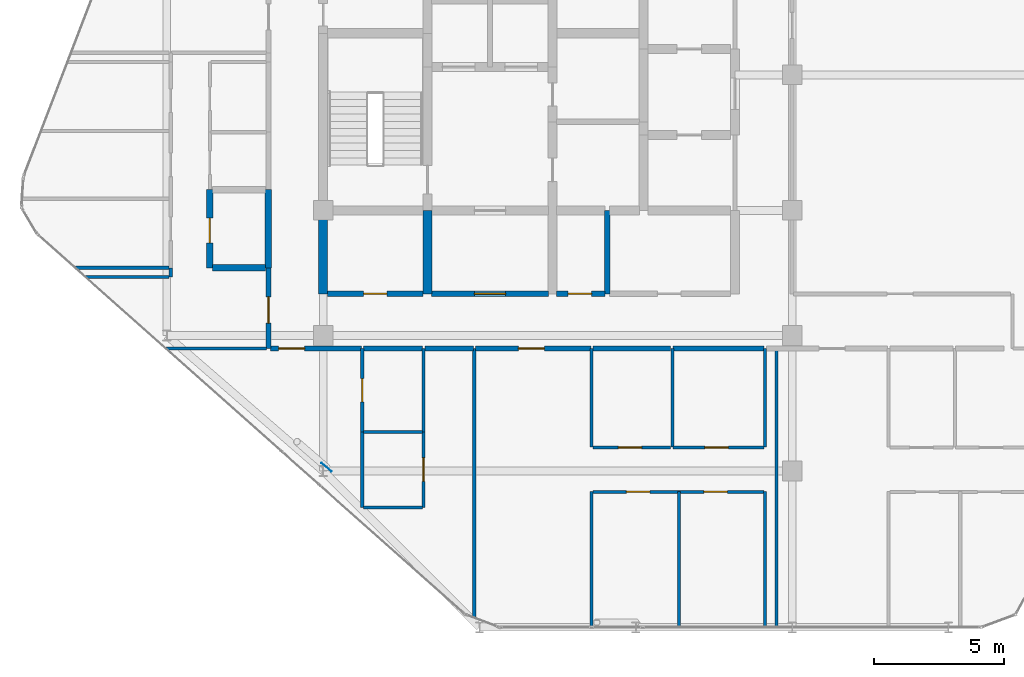
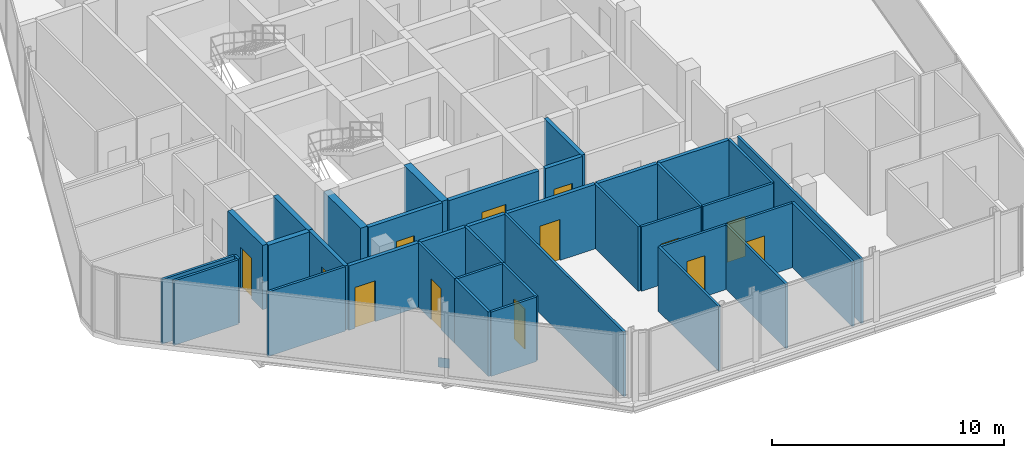
# One storey, part 22 of 27: 37 walls, 13 doors, 1 plate, 13 openings.
"""IFC4 building model written with IfcOpenShell, lengths in metres."""

from ifc_helpers import new_model, si_unit, direction, frame, frame_2d, origin, origin_2d, place, context, subcontext, project, spatial, rectangle, extrude, material, layer, layer_set, type_object, element, fill, save


model = new_model("IFC4")

# Units and contexts
model_context = context("Model", 3, precision=1e-05, world=origin(), true_north=direction((0.0, 1.0)))
body_context = subcontext(model_context, "Body", "Model", "MODEL_VIEW")
ifc_project = project(units=[si_unit("LENGTHUNIT", "METRE"), si_unit("AREAUNIT", "SQUARE_METRE"), si_unit("VOLUMEUNIT", "CUBIC_METRE"), si_unit("PLANEANGLEUNIT", "RADIAN"), si_unit("MASSUNIT", "GRAM", prefix="KILO")], contexts=[model_context])

# Site, building, storey
site_placement = place(None, origin())
site = spatial("IfcSite", under=ifc_project, at=site_placement, CompositionType="ELEMENT")
building_placement = place(site_placement, origin())
building = spatial("IfcBuilding", under=site, at=building_placement, Name="Keshet Zoharim Tower", CompositionType="ELEMENT")
storey_placement = place(building_placement, frame((0.0, 0.0, 247.300048828125)))
storey = spatial("IfcBuildingStorey", under=building, at=storey_placement, Name="L61", CompositionType="ELEMENT", Elevation=247.300048828125)

# Plate
ifc_material_1 = material(Name="Steel S355", Category="steel")
ifc_layer_1 = layer(ifc_material_1, 0.02001953125)
ifc_layer_set_1 = layer_set([ifc_layer_1], Name="Steel S355")
plate_type = type_object("IfcPlateType", Name="PL-GUS-20", PredefinedType="SHEET", material=ifc_layer_set_1)
plate_placement = place(storey_placement, frame((15.1259765625, 12.842041015625, 0.0), z_axis=(0.0, 0.0, 1.0), x_axis=(-0.75568908279, 0.654930538418, 0.0)))
element("IfcPlate", 1, at=plate_placement, inside=storey, type_object=plate_type, Name="L61 Perimeter Brace Gusset 01", PredefinedType="SHEET", context=body_context, shape_type="SweptSolid", body=[
    extrude(rectangle(XDim=0.5, YDim=0.02001953125, at=origin_2d()), origin(), (0.0, 0.0, 1.0), 0.5),
])

# Walls
ifc_material_2 = material(Name="Concrete C60/75", Category="concrete")
ifc_layer_2 = layer(ifc_material_2, 0.35009765625)
ifc_layer_set_2 = layer_set([ifc_layer_2], Name="Concrete C60/75")
wall_type_1 = type_object("IfcWallType", Name="WL-CORE-350", PredefinedType="SHEAR", material=ifc_layer_set_2)
for number, where, z_axis, x_axis, name in (
    (2, (15.0, 19.5, 0.0), (0.0, 0.0, 1.0), (0.0, 1.0, 0.0), "L61 Core Shear Wall 018"),
    (3, (19.0, 19.5, 0.0), (0.0, 0.0, 1.0), (0.0, 1.0, 0.0), "L61 Core Shear Wall 026"),
):
    element("IfcWall", number, at=place(storey_placement, frame(where, z_axis=z_axis, x_axis=x_axis)), inside=storey, type_object=wall_type_1, Name=name, PredefinedType="SHEAR", context=body_context, shape_type="SweptSolid", body=[
        extrude(rectangle(XDim=3.199951171875, YDim=0.35009765625, at=frame_2d((1.60009765625, 0.0))), origin(), (0.0, 0.0, 1.0), 3.389892578125),
    ])

# Wall, opening, door
ifc_material_3 = material(Name="Gypsum Plasterboard", Category="gypsum")
ifc_layer_3 = layer(ifc_material_3, 0.179931640625)
ifc_layer_set_3 = layer_set([ifc_layer_3], Name="Gypsum Plasterboard")
wall_type_2 = type_object("IfcWallType", Name="WL-CORR-180", PredefinedType="STANDARD", material=ifc_layer_set_3)
wall_1_placement = place(storey_placement, frame((12.89990234375, 17.39990234375, 0.0), z_axis=(0.0, 0.0, 1.0), x_axis=(0.0, 1.0, 0.0)))
wall_1 = element("IfcWall", 4, at=wall_1_placement, inside=storey, type_object=wall_type_2, Name="L61 Interior Wall 009", PredefinedType="STANDARD", context=body_context, shape_type="SweptSolid", body=[
    extrude(rectangle(XDim=3.10009765625, YDim=0.179931640625, at=frame_2d((1.550048828125, 0.0))), origin(), (0.0, 0.0, 1.0), 3.389892578125),
])
opening_1_placement = place(wall_1_placement, frame((0.97802734375, 0.0, 0.0)))
opening_1 = element("IfcOpeningElement", 5, at=opening_1_placement, cuts=wall_1, Name="Opening D-F310", PredefinedType="OPENING", context=body_context, shape_type="SweptSolid", body=[
    extrude(rectangle(XDim=1.0, YDim=2.14990234375, at=frame_2d((0.5, 1.074951171875))), frame((0.0, 0.10009765625, 0.0), z_axis=(0.0, -1.0, 0.0), x_axis=(1.0, 0.0, 0.0)), (0.0, 0.0, 1.0), 0.199951171875),
])
ifc_material_4 = material(Name="Hardwood Timber", Category="wood")
door_type_1 = type_object("IfcDoorType", Name="DR-FD30-100", OperationType="NOTDEFINED", PredefinedType="DOOR", material=ifc_material_4)
door_1_placement = place(opening_1_placement, origin())
door_1 = element("IfcDoor", 6, at=door_1_placement, inside=storey, type_object=door_type_1, Name="Apartment 6105 Entrance Door", OperationType="SINGLE_SWING_LEFT", OverallHeight=2.14990234375, OverallWidth=1.0, PredefinedType="DOOR", context=body_context, shape_type="SweptSolid", body=[
    extrude(rectangle(XDim=1.0, YDim=2.14990234375, at=frame_2d((0.5, 1.074951171875))), frame((0.0, 0.02490234375, 0.0), z_axis=(0.0, -1.0, 0.0), x_axis=(1.0, 0.0, 0.0)), (0.0, 0.0, 1.0), 0.050048828125),
])
fill(opening_1, door_1)

wall_2_placement = place(storey_placement, frame((12.97509765625, 17.39990234375, 0.0), z_axis=(0.0, 0.0, 1.0), x_axis=(1.0, 0.0, 0.0)))
wall_2 = element("IfcWall", 7, at=wall_2_placement, inside=storey, type_object=wall_type_2, Name="L61 Interior Wall 081", PredefinedType="STANDARD", context=body_context, shape_type="SweptSolid", body=[
    extrude(rectangle(XDim=3.489990234375, YDim=0.179931640625, at=frame_2d((1.7451171875, 0.0))), origin(), (0.0, 0.0, 1.0), 3.389892578125),
])
opening_2_placement = place(wall_2_placement, frame((0.31591796875, 0.0, 0.0)))
opening_2 = element("IfcOpeningElement", 8, at=opening_2_placement, cuts=wall_2, Name="Opening D-F310", PredefinedType="OPENING", context=body_context, shape_type="SweptSolid", body=[
    extrude(rectangle(XDim=1.0, YDim=2.14990234375, at=frame_2d((0.5, 1.074951171875))), frame((0.0, 0.10009765625, 0.0), z_axis=(0.0, -1.0, 0.0), x_axis=(1.0, 0.0, 0.0)), (0.0, 0.0, 1.0), 0.199951171875),
])
door_2_placement = place(opening_2_placement, origin())
door_2 = element("IfcDoor", 9, at=door_2_placement, inside=storey, type_object=door_type_1, Name="Apartment 6101 Entrance Door", OperationType="SINGLE_SWING_LEFT", OverallHeight=2.14990234375, OverallWidth=1.0, PredefinedType="DOOR", context=body_context, shape_type="SweptSolid", body=[
    extrude(rectangle(XDim=1.0, YDim=2.14990234375, at=frame_2d((0.5, 1.074951171875))), frame((0.0, 0.02490234375, 0.0), z_axis=(0.0, -1.0, 0.0), x_axis=(1.0, 0.0, 0.0)), (0.0, 0.0, 1.0), 0.050048828125),
])
fill(opening_2, door_2)

# Walls
wall_3_placement = place(storey_placement, frame((16.554931640625, 17.39990234375, 0.0), z_axis=(0.0, 0.0, 1.0), x_axis=(1.0, 0.0, 0.0)))
element("IfcWall", 10, at=wall_3_placement, inside=storey, type_object=wall_type_2, Name="L61 Interior Wall 082", PredefinedType="STANDARD", context=body_context, shape_type="SweptSolid", body=[
    extrude(rectangle(XDim=2.260009765625, YDim=0.179931640625, at=frame_2d((1.1298828125, 0.0))), origin(), (0.0, 0.0, 1.0), 3.389892578125),
])
wall_4_placement = place(storey_placement, frame((18.905029296875, 17.39990234375, 0.0), z_axis=(0.0, 0.0, 1.0), x_axis=(1.0, 0.0, 0.0)))
element("IfcWall", 11, at=wall_4_placement, inside=storey, type_object=wall_type_2, Name="L61 Interior Wall 083", PredefinedType="STANDARD", context=body_context, shape_type="SweptSolid", body=[
    extrude(rectangle(XDim=1.85986328125, YDim=0.179931640625, at=frame_2d((0.929931640625, 0.0))), origin(), (0.0, 0.0, 1.0), 3.389892578125),
])

# Wall, opening, door
wall_5_placement = place(storey_placement, frame((20.85498046875, 17.39990234375, 0.0), z_axis=(0.0, 0.0, 1.0), x_axis=(1.0, 0.0, 0.0)))
wall_5 = element("IfcWall", 12, at=wall_5_placement, inside=storey, type_object=wall_type_2, Name="L61 Interior Wall 084", PredefinedType="STANDARD", context=body_context, shape_type="SweptSolid", body=[
    extrude(rectangle(XDim=4.419921875, YDim=0.179931640625, at=frame_2d((2.2099609375, 0.0))), origin(), (0.0, 0.0, 1.0), 3.389892578125),
])
opening_3_placement = place(wall_5_placement, frame((1.637939453125, 0.0, 0.0)))
opening_3 = element("IfcOpeningElement", 13, at=opening_3_placement, cuts=wall_5, Name="Opening D-F310", PredefinedType="OPENING", context=body_context, shape_type="SweptSolid", body=[
    extrude(rectangle(XDim=1.0, YDim=2.14990234375, at=frame_2d((0.5, 1.074951171875))), frame((0.0, 0.10009765625, 0.0), z_axis=(0.0, -1.0, 0.0), x_axis=(1.0, 0.0, 0.0)), (0.0, 0.0, 1.0), 0.199951171875),
])
door_3_placement = place(opening_3_placement, origin())
door_3 = element("IfcDoor", 14, at=door_3_placement, inside=storey, type_object=door_type_1, Name="Apartment 6102 Entrance Door", OperationType="SINGLE_SWING_RIGHT", OverallHeight=2.14990234375, OverallWidth=1.0, PredefinedType="DOOR", context=body_context, shape_type="SweptSolid", body=[
    extrude(rectangle(XDim=1.0, YDim=2.14990234375, at=frame_2d((0.5, 1.074951171875))), frame((0.0, 0.02490234375, 0.0), z_axis=(0.0, -1.0, 0.0), x_axis=(1.0, 0.0, 0.0)), (0.0, 0.0, 1.0), 0.050048828125),
])
fill(opening_3, door_3)

# Walls
wall_6_placement = place(storey_placement, frame((25.364990234375, 17.39990234375, 0.0), z_axis=(0.0, 0.0, 1.0), x_axis=(1.0, 0.0, 0.0)))
element("IfcWall", 15, at=wall_6_placement, inside=storey, type_object=wall_type_2, Name="L61 Interior Wall 085", PredefinedType="STANDARD", context=body_context, shape_type="SweptSolid", body=[
    extrude(rectangle(XDim=2.968994140625, YDim=0.179931640625, at=frame_2d((1.484375, 0.0))), origin(), (0.0, 0.0, 1.0), 3.389892578125),
])
wall_7_placement = place(storey_placement, frame((28.424072265625, 17.39990234375, 0.0), z_axis=(0.0, 0.0, 1.0), x_axis=(1.0, 0.0, 0.0)))
element("IfcWall", 16, at=wall_7_placement, inside=storey, type_object=wall_type_2, Name="L61 Interior Wall 086", PredefinedType="STANDARD", context=body_context, shape_type="SweptSolid", body=[
    extrude(rectangle(XDim=3.5009765625, YDim=0.179931640625, at=frame_2d((1.75048828125, 0.0))), origin(), (0.0, 0.0, 1.0), 3.389892578125),
])
ifc_material_5 = material(Name="Concrete C50/60", Category="concrete")
ifc_layer_4 = layer(ifc_material_5, 0.199951171875)
ifc_layer_set_4 = layer_set([ifc_layer_4], Name="Concrete C50/60")
wall_type_3 = type_object("IfcWallType", Name="WL-FIRE-200", PredefinedType="STANDARD", material=ifc_layer_set_4)
wall_8_placement = place(storey_placement, frame((25.89990234375, 19.5, 0.0), z_axis=(0.0, 0.0, 1.0), x_axis=(0.0, 1.0, 0.0)))
element("IfcWall", 17, at=wall_8_placement, inside=storey, type_object=wall_type_3, Name="L61 Interior Wall 045", PredefinedType="STANDARD", context=body_context, shape_type="SweptSolid", body=[
    extrude(rectangle(XDim=3.199951171875, YDim=0.199951171875, at=frame_2d((1.60009765625, 0.0))), origin(), (0.0, 0.0, 1.0), 3.389892578125),
])

# Wall, opening, door
wall_9_placement = place(storey_placement, frame((15.159912109375, 19.5, 0.0), z_axis=(0.0, 0.0, 1.0), x_axis=(1.0, 0.0, 0.0)))
wall_9 = element("IfcWall", 18, at=wall_9_placement, inside=storey, type_object=wall_type_3, Name="L61 Interior Wall 092", PredefinedType="STANDARD", context=body_context, shape_type="SweptSolid", body=[
    extrude(rectangle(XDim=3.68017578125, YDim=0.199951171875, at=frame_2d((1.840087890625, 0.0))), origin(), (0.0, 0.0, 1.0), 3.389892578125),
])
opening_4_placement = place(wall_9_placement, frame((1.389892578125, 0.0, 0.0)))
opening_4 = element("IfcOpeningElement", 19, at=opening_4_placement, cuts=wall_9, Name="Opening D-F690", PredefinedType="OPENING", context=body_context, shape_type="SweptSolid", body=[
    extrude(rectangle(XDim=0.89990234375, YDim=2.14990234375, at=frame_2d((0.449951171875, 1.074951171875))), frame((0.0, 0.10986328125, 0.0), z_axis=(0.0, -1.0, 0.0), x_axis=(1.0, 0.0, 0.0)), (0.0, 0.0, 1.0), 0.219970703125),
])
door_type_2 = type_object("IfcDoorType", Name="DR-FD60-090", OperationType="NOTDEFINED", PredefinedType="DOOR", material=ifc_material_4)
door_4_placement = place(opening_4_placement, origin())
door_4 = element("IfcDoor", 20, at=door_4_placement, inside=storey, type_object=door_type_2, Name="L61 Refuse Room Door", OperationType="SINGLE_SWING_RIGHT", OverallHeight=2.14990234375, OverallWidth=0.89990234375, PredefinedType="DOOR", context=body_context, shape_type="SweptSolid", body=[
    extrude(rectangle(XDim=0.89990234375, YDim=2.14990234375, at=frame_2d((0.449951171875, 1.074951171875))), frame((0.0, 0.02490234375, 0.0), z_axis=(0.0, -1.0, 0.0), x_axis=(1.0, 0.0, 0.0)), (0.0, 0.0, 1.0), 0.050048828125),
])
fill(opening_4, door_4)

wall_10_placement = place(storey_placement, frame((19.159912109375, 19.5, 0.0), z_axis=(0.0, 0.0, 1.0), x_axis=(1.0, 0.0, 0.0)))
wall_10 = element("IfcWall", 21, at=wall_10_placement, inside=storey, type_object=wall_type_3, Name="L61 Interior Wall 093", PredefinedType="STANDARD", context=body_context, shape_type="SweptSolid", body=[
    extrude(rectangle(XDim=4.47998046875, YDim=0.199951171875, at=frame_2d((2.239990234375, 0.0))), origin(), (0.0, 0.0, 1.0), 3.389892578125),
])
opening_5_placement = place(wall_10_placement, frame((1.639892578125, 0.0, 0.0)))
opening_5 = element("IfcOpeningElement", 22, at=opening_5_placement, cuts=wall_10, Name="Opening D-F612", PredefinedType="OPENING", context=body_context, shape_type="SweptSolid", body=[
    extrude(rectangle(XDim=1.199951171875, YDim=2.199951171875, at=frame_2d((0.60009765625, 1.10009765625))), frame((0.0, 0.10986328125, 0.0), z_axis=(0.0, -1.0, 0.0), x_axis=(1.0, 0.0, 0.0)), (0.0, 0.0, 1.0), 0.219970703125),
])
door_type_3 = type_object("IfcDoorType", Name="DR-FD60-120", OperationType="NOTDEFINED", PredefinedType="DOOR", material=ifc_material_4)
door_5_placement = place(opening_5_placement, origin())
door_5 = element("IfcDoor", 23, at=door_5_placement, inside=storey, type_object=door_type_3, Name="L61 South Vestibule Corridor Door", OperationType="SINGLE_SWING_LEFT", OverallHeight=2.199951171875, OverallWidth=1.199951171875, PredefinedType="DOOR", context=body_context, shape_type="SweptSolid", body=[
    extrude(rectangle(XDim=1.199951171875, YDim=2.199951171875, at=frame_2d((0.60009765625, 1.10009765625))), frame((0.0, 0.02490234375, 0.0), z_axis=(0.0, -1.0, 0.0), x_axis=(1.0, 0.0, 0.0)), (0.0, 0.0, 1.0), 0.050048828125),
])
fill(opening_5, door_5)

wall_11_placement = place(storey_placement, frame((23.9599609375, 19.5, 0.0), z_axis=(0.0, 0.0, 1.0), x_axis=(1.0, 0.0, 0.0)))
wall_11 = element("IfcWall", 24, at=wall_11_placement, inside=storey, type_object=wall_type_3, Name="L61 Interior Wall 094", PredefinedType="STANDARD", context=body_context, shape_type="SweptSolid", body=[
    extrude(rectangle(XDim=1.85498046875, YDim=0.199951171875, at=frame_2d((0.927490234375, 0.0))), origin(), (0.0, 0.0, 1.0), 3.389892578125),
])
opening_6_placement = place(wall_11_placement, frame((0.43994140625, 0.0, 0.0)))
opening_6 = element("IfcOpeningElement", 25, at=opening_6_placement, cuts=wall_11, Name="Opening D-F690", PredefinedType="OPENING", context=body_context, shape_type="SweptSolid", body=[
    extrude(rectangle(XDim=0.89990234375, YDim=2.14990234375, at=frame_2d((0.449951171875, 1.074951171875))), frame((0.0, 0.10986328125, 0.0), z_axis=(0.0, -1.0, 0.0), x_axis=(1.0, 0.0, 0.0)), (0.0, 0.0, 1.0), 0.219970703125),
])
door_6_placement = place(opening_6_placement, origin())
door_6 = element("IfcDoor", 26, at=door_6_placement, inside=storey, type_object=door_type_2, Name="L61 Cleaners Store Door", OperationType="SINGLE_SWING_RIGHT", OverallHeight=2.14990234375, OverallWidth=0.89990234375, PredefinedType="DOOR", context=body_context, shape_type="SweptSolid", body=[
    extrude(rectangle(XDim=0.89990234375, YDim=2.14990234375, at=frame_2d((0.449951171875, 1.074951171875))), frame((0.0, 0.02490234375, 0.0), z_axis=(0.0, -1.0, 0.0), x_axis=(1.0, 0.0, 0.0)), (0.0, 0.0, 1.0), 0.050048828125),
])
fill(opening_6, door_6)

ifc_layer_5 = layer(ifc_material_5, 0.25)
ifc_layer_set_5 = layer_set([ifc_layer_5], Name="Concrete C50/60")
wall_type_4 = type_object("IfcWallType", Name="WL-MAMAD-250", PredefinedType="STANDARD", material=ifc_layer_set_5)
wall_12_placement = place(storey_placement, frame((10.64990234375, 20.5, 0.0), z_axis=(0.0, 0.0, 1.0), x_axis=(0.0, 1.0, 0.0)))
wall_12 = element("IfcWall", 27, at=wall_12_placement, inside=storey, type_object=wall_type_4, Name="L61 Interior Wall 006", PredefinedType="STANDARD", context=body_context, shape_type="SweptSolid", body=[
    extrude(rectangle(XDim=3.001953125, YDim=0.25, at=frame_2d((1.5009765625, 0.0))), origin(), (0.0, 0.0, 1.0), 3.389892578125),
])
opening_7_placement = place(wall_12_placement, frame((0.9560546875, 0.0, 0.0)))
opening_7 = element("IfcOpeningElement", 28, at=opening_7_placement, cuts=wall_12, Name="Opening D-F695", PredefinedType="OPENING", context=body_context, shape_type="SweptSolid", body=[
    extrude(rectangle(XDim=0.949951171875, YDim=2.14990234375, at=frame_2d((0.47509765625, 1.074951171875))), frame((0.0, 0.135009765625, 0.0), z_axis=(0.0, -1.0, 0.0), x_axis=(1.0, 0.0, 0.0)), (0.0, 0.0, 1.0), 0.27001953125),
])
door_type_4 = type_object("IfcDoorType", Name="DR-FD60-095", OperationType="NOTDEFINED", PredefinedType="DOOR", material=ifc_material_4)
door_7_placement = place(opening_7_placement, origin())
door_7 = element("IfcDoor", 29, at=door_7_placement, inside=storey, type_object=door_type_4, Name="Apartment 6105 Study and Shelter Room Door", OperationType="SINGLE_SWING_RIGHT", OverallHeight=2.14990234375, OverallWidth=0.949951171875, PredefinedType="DOOR", context=body_context, shape_type="SweptSolid", body=[
    extrude(rectangle(XDim=0.949951171875, YDim=2.14990234375, at=frame_2d((0.47509765625, 1.074951171875))), frame((0.0, 0.02490234375, 0.0), z_axis=(0.0, -1.0, 0.0), x_axis=(1.0, 0.0, 0.0)), (0.0, 0.0, 1.0), 0.050048828125),
])
fill(opening_7, door_7)

# Walls
wall_13_placement = place(storey_placement, frame((12.89990234375, 20.5, 0.0), z_axis=(0.0, 0.0, 1.0), x_axis=(0.0, 1.0, 0.0)))
element("IfcWall", 30, at=wall_13_placement, inside=storey, type_object=wall_type_4, Name="L61 Interior Wall 010", PredefinedType="STANDARD", context=body_context, shape_type="SweptSolid", body=[
    extrude(rectangle(XDim=3.001953125, YDim=0.25, at=frame_2d((1.5009765625, 0.0))), origin(), (0.0, 0.0, 1.0), 3.389892578125),
])
wall_14_placement = place(storey_placement, frame((10.760009765625, 20.5, 0.0), z_axis=(0.0, 0.0, 1.0), x_axis=(1.0, 0.0, 0.0)))
element("IfcWall", 31, at=wall_14_placement, inside=storey, type_object=wall_type_4, Name="L61 Interior Wall 099", PredefinedType="STANDARD", context=body_context, shape_type="SweptSolid", body=[
    extrude(rectangle(XDim=2.030029296875, YDim=0.25, at=frame_2d((1.01513671875, 0.0))), origin(), (0.0, 0.0, 1.0), 3.389892578125),
])
ifc_layer_6 = layer(ifc_material_3, 0.1201171875)
ifc_layer_set_6 = layer_set([ifc_layer_6], Name="Gypsum Plasterboard")
wall_type_5 = type_object("IfcWallType", Name="WL-PART-120", PredefinedType="PARTITIONING", material=ifc_layer_set_6)
wall_15_placement = place(storey_placement, frame((9.14990234375, 20.14990234375, 0.0), z_axis=(0.0, 0.0, 1.0), x_axis=(0.0, 1.0, 0.0)))
element("IfcWall", 32, at=wall_15_placement, inside=storey, type_object=wall_type_5, Name="L61 Interior Wall 002", PredefinedType="PARTITIONING", context=body_context, shape_type="SweptSolid", body=[
    extrude(rectangle(XDim=0.35009765625, YDim=0.1201171875, at=frame_2d((0.175048828125, 0.0))), origin(), (0.0, 0.0, 1.0), 3.389892578125),
])

# Wall, opening, door
wall_16_placement = place(storey_placement, frame((16.5, 14.199951171875, 0.0), z_axis=(0.0, 0.0, 1.0), x_axis=(0.0, 1.0, 0.0)))
wall_16 = element("IfcWall", 33, at=wall_16_placement, inside=storey, type_object=wall_type_5, Name="L61 Interior Wall 023", PredefinedType="PARTITIONING", context=body_context, shape_type="SweptSolid", body=[
    extrude(rectangle(XDim=3.199951171875, YDim=0.1201171875, at=frame_2d((1.60009765625, 0.0))), origin(), (0.0, 0.0, 1.0), 3.389892578125),
])
opening_8_placement = place(wall_16_placement, frame((1.14990234375, 0.0, 0.0)))
opening_8 = element("IfcOpeningElement", 34, at=opening_8_placement, cuts=wall_16, Name="Opening D-IN90", PredefinedType="OPENING", context=body_context, shape_type="SweptSolid", body=[
    extrude(rectangle(XDim=0.89990234375, YDim=2.14990234375, at=frame_2d((0.449951171875, 1.074951171875))), frame((0.0, 0.070068359375, 0.0), z_axis=(0.0, -1.0, 0.0), x_axis=(1.0, 0.0, 0.0)), (0.0, 0.0, 1.0), 0.14013671875),
])
door_type_5 = type_object("IfcDoorType", Name="DR-INT-090", OperationType="NOTDEFINED", PredefinedType="DOOR", material=ifc_material_4)
door_8_placement = place(opening_8_placement, origin())
door_8 = element("IfcDoor", 35, at=door_8_placement, inside=storey, type_object=door_type_5, Name="Apartment 6101 Kitchenette Door", OperationType="SINGLE_SWING_RIGHT", OverallHeight=2.14990234375, OverallWidth=0.89990234375, PredefinedType="DOOR", context=body_context, shape_type="SweptSolid", body=[
    extrude(rectangle(XDim=0.89990234375, YDim=2.14990234375, at=frame_2d((0.449951171875, 1.074951171875))), frame((0.0, 0.02490234375, 0.0), z_axis=(0.0, -1.0, 0.0), x_axis=(1.0, 0.0, 0.0)), (0.0, 0.0, 1.0), 0.050048828125),
])
fill(opening_8, door_8)

# Walls
wall_17_placement = place(storey_placement, frame((18.85009765625, 14.199951171875, 0.0), z_axis=(0.0, 0.0, 1.0), x_axis=(0.0, 1.0, 0.0)))
element("IfcWall", 36, at=wall_17_placement, inside=storey, type_object=wall_type_5, Name="L61 Interior Wall 025", PredefinedType="PARTITIONING", context=body_context, shape_type="SweptSolid", body=[
    extrude(rectangle(XDim=3.199951171875, YDim=0.1201171875, at=frame_2d((1.60009765625, 0.0))), origin(), (0.0, 0.0, 1.0), 3.389892578125),
])
wall_18_placement = place(storey_placement, frame((20.800048828125, 7.074951171875, 0.0), z_axis=(0.0, 0.0, 1.0), x_axis=(0.0, 1.0, 0.0)))
element("IfcWall", 37, at=wall_18_placement, inside=storey, type_object=wall_type_5, Name="L61 Interior Wall 031", PredefinedType="PARTITIONING", context=body_context, shape_type="SweptSolid", body=[
    extrude(rectangle(XDim=10.324951171875, YDim=0.1201171875, at=frame_2d((5.16259765625, 0.0))), origin(), (0.0, 0.0, 1.0), 3.389892578125),
])
wall_19_placement = place(storey_placement, frame((25.300048828125, 6.7099609375, 0.0), z_axis=(0.0, 0.0, 1.0), x_axis=(0.0, 1.0, 0.0)))
element("IfcWall", 38, at=wall_19_placement, inside=storey, type_object=wall_type_5, Name="L61 Interior Wall 043", PredefinedType="PARTITIONING", context=body_context, shape_type="SweptSolid", body=[
    extrude(rectangle(XDim=5.2099609375, YDim=0.1201171875, at=frame_2d((2.60498046875, 0.0))), origin(), (0.0, 0.0, 1.0), 3.389892578125),
])
wall_20_placement = place(storey_placement, frame((25.300048828125, 13.6201171875, 0.0), z_axis=(0.0, 0.0, 1.0), x_axis=(0.0, 1.0, 0.0)))
element("IfcWall", 39, at=wall_20_placement, inside=storey, type_object=wall_type_5, Name="L61 Interior Wall 044", PredefinedType="PARTITIONING", context=body_context, shape_type="SweptSolid", body=[
    extrude(rectangle(XDim=3.77978515625, YDim=0.1201171875, at=frame_2d((1.889892578125, 0.0))), origin(), (0.0, 0.0, 1.0), 3.389892578125),
])
for number, where, z_axis, x_axis, name in (
    (40, (28.64990234375, 6.7099609375, 0.0), (0.0, 0.0, 1.0), (0.0, 1.0, 0.0), "L61 Interior Wall 052"),
    (41, (31.949951171875, 6.7099609375, 0.0), (0.0, 0.0, 1.0), (0.0, 1.0, 0.0), "L61 Interior Wall 060"),
):
    element("IfcWall", number, at=place(storey_placement, frame(where, z_axis=z_axis, x_axis=x_axis)), inside=storey, type_object=wall_type_5, Name=name, PredefinedType="PARTITIONING", context=body_context, shape_type="SweptSolid", body=[
        extrude(rectangle(XDim=5.2099609375, YDim=0.1201171875, at=frame_2d((2.60498046875, 0.0))), origin(), (0.0, 0.0, 1.0), 3.389892578125),
    ])
wall_21_placement = place(storey_placement, frame((32.39990234375, 6.7099609375, 0.0), z_axis=(0.0, 0.0, 1.0), x_axis=(0.0, 1.0, 0.0)))
element("IfcWall", 42, at=wall_21_placement, inside=storey, type_object=wall_type_5, Name="L61 Interior Wall 062", PredefinedType="PARTITIONING", context=body_context, shape_type="SweptSolid", body=[
    extrude(rectangle(XDim=10.68994140625, YDim=0.1201171875, at=frame_2d((5.344970703125, 0.0))), origin(), (0.0, 0.0, 1.0), 3.389892578125),
])

# Wall, openings, doors
wall_22_placement = place(storey_placement, frame((25.364990234375, 11.89990234375, 0.0), z_axis=(0.0, 0.0, 1.0), x_axis=(1.0, 0.0, 0.0)))
wall_22 = element("IfcWall", 43, at=wall_22_placement, inside=storey, type_object=wall_type_5, Name="L61 Interior Wall 073", PredefinedType="PARTITIONING", context=body_context, shape_type="SweptSolid", body=[
    extrude(rectangle(XDim=6.56005859375, YDim=0.1201171875, at=frame_2d((3.280029296875, 0.0))), origin(), (0.0, 0.0, 1.0), 3.389892578125),
])
opening_9_placement = place(wall_22_placement, frame((1.27099609375, 0.0, 0.0)))
opening_9 = element("IfcOpeningElement", 44, at=opening_9_placement, cuts=wall_22, Name="Opening D-IN90", PredefinedType="OPENING", context=body_context, shape_type="SweptSolid", body=[
    extrude(rectangle(XDim=0.89990234375, YDim=2.14990234375, at=frame_2d((0.449951171875, 1.074951171875))), frame((0.0, 0.070068359375, 0.0), z_axis=(0.0, -1.0, 0.0), x_axis=(1.0, 0.0, 0.0)), (0.0, 0.0, 1.0), 0.14013671875),
])
opening_10_placement = place(wall_22_placement, frame((4.24609375, 0.0, 0.0)))
opening_10 = element("IfcOpeningElement", 45, at=opening_10_placement, cuts=wall_22, Name="Opening D-IN90", PredefinedType="OPENING", context=body_context, shape_type="SweptSolid", body=[
    extrude(rectangle(XDim=0.89990234375, YDim=2.14990234375, at=frame_2d((0.449951171875, 1.074951171875))), frame((0.0, 0.070068359375, 0.0), z_axis=(0.0, -1.0, 0.0), x_axis=(1.0, 0.0, 0.0)), (0.0, 0.0, 1.0), 0.14013671875),
])
door_9_placement = place(opening_9_placement, origin())
door_9 = element("IfcDoor", 46, at=door_9_placement, inside=storey, type_object=door_type_5, Name="Apartment 6102 Bedroom 1 Door", OperationType="SINGLE_SWING_LEFT", OverallHeight=2.14990234375, OverallWidth=0.89990234375, PredefinedType="DOOR", context=body_context, shape_type="SweptSolid", body=[
    extrude(rectangle(XDim=0.89990234375, YDim=2.14990234375, at=frame_2d((0.449951171875, 1.074951171875))), frame((0.0, 0.02490234375, 0.0), z_axis=(0.0, -1.0, 0.0), x_axis=(1.0, 0.0, 0.0)), (0.0, 0.0, 1.0), 0.050048828125),
])
fill(opening_9, door_9)
door_10_placement = place(opening_10_placement, origin())
door_10 = element("IfcDoor", 47, at=door_10_placement, inside=storey, type_object=door_type_5, Name="Apartment 6102 Bedroom 2 Door", OperationType="SINGLE_SWING_RIGHT", OverallHeight=2.14990234375, OverallWidth=0.89990234375, PredefinedType="DOOR", context=body_context, shape_type="SweptSolid", body=[
    extrude(rectangle(XDim=0.89990234375, YDim=2.14990234375, at=frame_2d((0.449951171875, 1.074951171875))), frame((0.0, 0.02490234375, 0.0), z_axis=(0.0, -1.0, 0.0), x_axis=(1.0, 0.0, 0.0)), (0.0, 0.0, 1.0), 0.050048828125),
])
fill(opening_10, door_10)

# Wall, opening, door
wall_23_placement = place(storey_placement, frame((25.364990234375, 13.60009765625, 0.0), z_axis=(0.0, 0.0, 1.0), x_axis=(1.0, 0.0, 0.0)))
wall_23 = element("IfcWall", 48, at=wall_23_placement, inside=storey, type_object=wall_type_5, Name="L61 Interior Wall 075", PredefinedType="PARTITIONING", context=body_context, shape_type="SweptSolid", body=[
    extrude(rectangle(XDim=2.968994140625, YDim=0.1201171875, at=frame_2d((1.484375, 0.0))), origin(), (0.0, 0.0, 1.0), 3.389892578125),
])
opening_11_placement = place(wall_23_placement, frame((0.9599609375, 0.0, 0.0)))
opening_11 = element("IfcOpeningElement", 49, at=opening_11_placement, cuts=wall_23, Name="Opening D-IN90", PredefinedType="OPENING", context=body_context, shape_type="SweptSolid", body=[
    extrude(rectangle(XDim=0.89990234375, YDim=2.14990234375, at=frame_2d((0.449951171875, 1.074951171875))), frame((0.0, 0.070068359375, 0.0), z_axis=(0.0, -1.0, 0.0), x_axis=(1.0, 0.0, 0.0)), (0.0, 0.0, 1.0), 0.14013671875),
])
door_11_placement = place(opening_11_placement, origin())
door_11 = element("IfcDoor", 50, at=door_11_placement, inside=storey, type_object=door_type_5, Name="Apartment 6102 Kitchen Door", OperationType="SINGLE_SWING_LEFT", OverallHeight=2.14990234375, OverallWidth=0.89990234375, PredefinedType="DOOR", context=body_context, shape_type="SweptSolid", body=[
    extrude(rectangle(XDim=0.89990234375, YDim=2.14990234375, at=frame_2d((0.449951171875, 1.074951171875))), frame((0.0, 0.02490234375, 0.0), z_axis=(0.0, -1.0, 0.0), x_axis=(1.0, 0.0, 0.0)), (0.0, 0.0, 1.0), 0.050048828125),
])
fill(opening_11, door_11)

# Walls
wall_24_placement = place(storey_placement, frame((8.972900390625, 17.39990234375, 0.0), z_axis=(0.0, 0.0, 1.0), x_axis=(1.0, 0.0, 0.0)))
element("IfcWall", 51, at=wall_24_placement, inside=storey, type_object=wall_type_5, Name="L61 Interior Wall 080", PredefinedType="PARTITIONING", context=body_context, shape_type="SweptSolid", body=[
    extrude(rectangle(XDim=3.85205078125, YDim=0.1201171875, at=frame_2d((1.926025390625, 0.0))), origin(), (0.0, 0.0, 1.0), 3.389892578125),
])
wall_25_placement = place(storey_placement, frame((5.87890625, 20.14990234375, 0.0), z_axis=(0.0, 0.0, 1.0), x_axis=(1.0, 0.0, 0.0)))
element("IfcWall", 52, at=wall_25_placement, inside=storey, type_object=wall_type_5, Name="L61 Interior Wall 097", PredefinedType="PARTITIONING", context=body_context, shape_type="SweptSolid", body=[
    extrude(rectangle(XDim=3.2060546875, YDim=0.1201171875, at=frame_2d((1.60302734375, 0.0))), origin(), (0.0, 0.0, 1.0), 3.389892578125),
])
wall_26_placement = place(storey_placement, frame((5.485107421875, 20.5, 0.0), z_axis=(0.0, 0.0, 1.0), x_axis=(1.0, 0.0, 0.0)))
element("IfcWall", 53, at=wall_26_placement, inside=storey, type_object=wall_type_5, Name="L61 Interior Wall 098", PredefinedType="PARTITIONING", context=body_context, shape_type="SweptSolid", body=[
    extrude(rectangle(XDim=3.599853515625, YDim=0.1201171875, at=frame_2d((1.7998046875, 0.0))), origin(), (0.0, 0.0, 1.0), 3.389892578125),
])
ifc_layer_7 = layer(ifc_material_3, 0.1201171875)
ifc_layer_set_7 = layer_set([ifc_layer_7], Name="Gypsum Plasterboard")
wall_type_6 = type_object("IfcWallType", Name="WL-WET-120", PredefinedType="PARTITIONING", material=ifc_layer_set_7)
wall_27_placement = place(storey_placement, frame((16.5, 11.300048828125, 0.0), z_axis=(0.0, 0.0, 1.0), x_axis=(0.0, 1.0, 0.0)))
element("IfcWall", 54, at=wall_27_placement, inside=storey, type_object=wall_type_6, Name="L61 Interior Wall 022", PredefinedType="PARTITIONING", context=body_context, shape_type="SweptSolid", body=[
    extrude(rectangle(XDim=2.89990234375, YDim=0.1201171875, at=frame_2d((1.449951171875, 0.0))), origin(), (0.0, 0.0, 1.0), 3.389892578125),
])

# Wall, opening, door
wall_28_placement = place(storey_placement, frame((18.85009765625, 11.300048828125, 0.0), z_axis=(0.0, 0.0, 1.0), x_axis=(0.0, 1.0, 0.0)))
wall_28 = element("IfcWall", 55, at=wall_28_placement, inside=storey, type_object=wall_type_6, Name="L61 Interior Wall 024", PredefinedType="PARTITIONING", context=body_context, shape_type="SweptSolid", body=[
    extrude(rectangle(XDim=2.89990234375, YDim=0.1201171875, at=frame_2d((1.449951171875, 0.0))), origin(), (0.0, 0.0, 1.0), 3.389892578125),
])
opening_12_placement = place(wall_28_placement, frame((1.0, 0.0, 0.0)))
opening_12 = element("IfcOpeningElement", 56, at=opening_12_placement, cuts=wall_28, Name="Opening D-WT90", PredefinedType="OPENING", context=body_context, shape_type="SweptSolid", body=[
    extrude(rectangle(XDim=0.89990234375, YDim=2.10009765625, at=frame_2d((0.449951171875, 1.050048828125))), frame((0.0, 0.070068359375, 0.0), z_axis=(0.0, -1.0, 0.0), x_axis=(1.0, 0.0, 0.0)), (0.0, 0.0, 1.0), 0.14013671875),
])
door_type_6 = type_object("IfcDoorType", Name="DR-WET-090", OperationType="NOTDEFINED", PredefinedType="DOOR", material=ifc_material_4)
door_12_placement = place(opening_12_placement, origin())
door_12 = element("IfcDoor", 57, at=door_12_placement, inside=storey, type_object=door_type_6, Name="Apartment 6101 Bathroom Door", OperationType="SINGLE_SWING_LEFT", OverallHeight=2.10009765625, OverallWidth=0.89990234375, PredefinedType="DOOR", context=body_context, shape_type="SweptSolid", body=[
    extrude(rectangle(XDim=0.89990234375, YDim=2.10009765625, at=frame_2d((0.449951171875, 1.050048828125))), frame((0.0, 0.02490234375, 0.0), z_axis=(0.0, -1.0, 0.0), x_axis=(1.0, 0.0, 0.0)), (0.0, 0.0, 1.0), 0.050048828125),
])
fill(opening_12, door_12)

# Walls
for number, where, z_axis, x_axis, name in (
    (58, (28.39990234375, 13.6201171875, 0.0), (0.0, 0.0, 1.0), (0.0, 1.0, 0.0), "L61 Interior Wall 051"),
    (59, (31.949951171875, 13.6201171875, 0.0), (0.0, 0.0, 1.0), (0.0, 1.0, 0.0), "L61 Interior Wall 061"),
):
    element("IfcWall", number, at=place(storey_placement, frame(where, z_axis=z_axis, x_axis=x_axis)), inside=storey, type_object=wall_type_6, Name=name, PredefinedType="PARTITIONING", context=body_context, shape_type="SweptSolid", body=[
        extrude(rectangle(XDim=3.77978515625, YDim=0.1201171875, at=frame_2d((1.889892578125, 0.0))), origin(), (0.0, 0.0, 1.0), 3.389892578125),
    ])
wall_29_placement = place(storey_placement, frame((16.554931640625, 11.300048828125, 0.0), z_axis=(0.0, 0.0, 1.0), x_axis=(1.0, 0.0, 0.0)))
element("IfcWall", 60, at=wall_29_placement, inside=storey, type_object=wall_type_6, Name="L61 Interior Wall 072", PredefinedType="PARTITIONING", context=body_context, shape_type="SweptSolid", body=[
    extrude(rectangle(XDim=2.260009765625, YDim=0.1201171875, at=frame_2d((1.1298828125, 0.0))), origin(), (0.0, 0.0, 1.0), 3.389892578125),
])

# Wall, opening, door
wall_30_placement = place(storey_placement, frame((28.424072265625, 13.60009765625, 0.0), z_axis=(0.0, 0.0, 1.0), x_axis=(1.0, 0.0, 0.0)))
wall_30 = element("IfcWall", 61, at=wall_30_placement, inside=storey, type_object=wall_type_6, Name="L61 Interior Wall 076", PredefinedType="PARTITIONING", context=body_context, shape_type="SweptSolid", body=[
    extrude(rectangle(XDim=3.5009765625, YDim=0.1201171875, at=frame_2d((1.75048828125, 0.0))), origin(), (0.0, 0.0, 1.0), 3.389892578125),
])
opening_13_placement = place(wall_30_placement, frame((1.22802734375, 0.0, 0.0)))
opening_13 = element("IfcOpeningElement", 62, at=opening_13_placement, cuts=wall_30, Name="Opening D-WT90", PredefinedType="OPENING", context=body_context, shape_type="SweptSolid", body=[
    extrude(rectangle(XDim=0.89990234375, YDim=2.10009765625, at=frame_2d((0.449951171875, 1.050048828125))), frame((0.0, 0.070068359375, 0.0), z_axis=(0.0, -1.0, 0.0), x_axis=(1.0, 0.0, 0.0)), (0.0, 0.0, 1.0), 0.14013671875),
])
door_13_placement = place(opening_13_placement, origin())
door_13 = element("IfcDoor", 63, at=door_13_placement, inside=storey, type_object=door_type_6, Name="Apartment 6102 Bathroom Door", OperationType="SINGLE_SWING_RIGHT", OverallHeight=2.10009765625, OverallWidth=0.89990234375, PredefinedType="DOOR", context=body_context, shape_type="SweptSolid", body=[
    extrude(rectangle(XDim=0.89990234375, YDim=2.10009765625, at=frame_2d((0.449951171875, 1.050048828125))), frame((0.0, 0.02490234375, 0.0), z_axis=(0.0, -1.0, 0.0), x_axis=(1.0, 0.0, 0.0)), (0.0, 0.0, 1.0), 0.050048828125),
])
fill(opening_13, door_13)

# Wall
wall_31_placement = place(storey_placement, frame((16.554931640625, 14.199951171875, 0.0), z_axis=(0.0, 0.0, 1.0), x_axis=(1.0, 0.0, 0.0)))
element("IfcWall", 64, at=wall_31_placement, inside=storey, type_object=wall_type_6, Name="L61 Interior Wall 079", PredefinedType="PARTITIONING", context=body_context, shape_type="SweptSolid", body=[
    extrude(rectangle(XDim=2.260009765625, YDim=0.1201171875, at=frame_2d((1.1298828125, 0.0))), origin(), (0.0, 0.0, 1.0), 3.389892578125),
])

save(model, "model.ifc")
